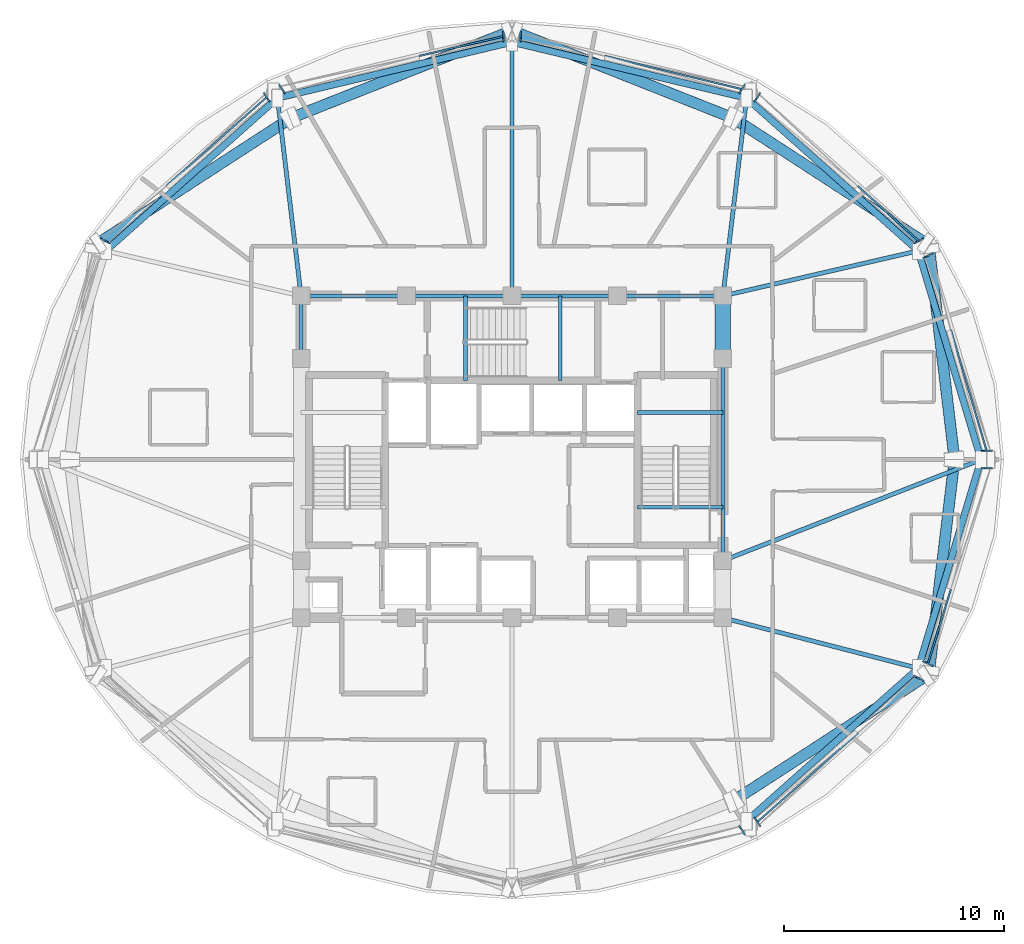
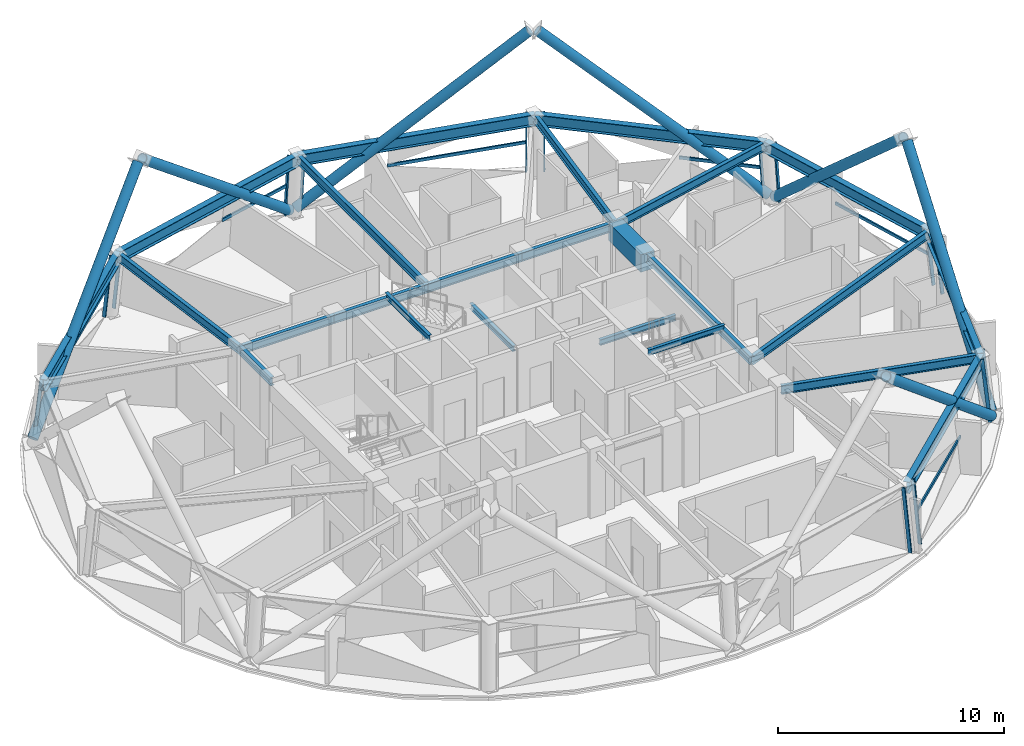
# One storey, part 2 of 12: 29 members, 24 beams, 8 elements without a shape of their own.
"""IFC4 building model written with IfcOpenShell, lengths in metres."""

from ifc_helpers import new_model, si_unit, direction, frame, origin, origin_2d, place, context, subcontext, project, spatial, rectangle, hollow_rectangle, hollow_circle, i_section, extrude, material, layer, layer_set, material_profile, profile_set, type_object, element, aggregate, save


model = new_model("IFC4")

# Units and contexts
model_context = context("Model", 3, precision=1e-05, world=origin(), true_north=direction((0.0, 1.0)))
body_context = subcontext(model_context, "Body", "Model", "MODEL_VIEW")
ifc_project = project(units=[si_unit("LENGTHUNIT", "METRE"), si_unit("AREAUNIT", "SQUARE_METRE"), si_unit("VOLUMEUNIT", "CUBIC_METRE"), si_unit("PLANEANGLEUNIT", "RADIAN"), si_unit("MASSUNIT", "GRAM", prefix="KILO")], contexts=[model_context])

# Site, building, storey
site_placement = place(None, origin())
site = spatial("IfcSite", under=ifc_project, at=site_placement, CompositionType="ELEMENT")
building_placement = place(site_placement, origin())
building = spatial("IfcBuilding", under=site, at=building_placement, Name="Vantalir Tower", CompositionType="ELEMENT")
storey_placement = place(building_placement, frame((0.0, 0.0, 249.89990234375)))
storey = spatial("IfcBuildingStorey", under=building, at=storey_placement, Name="L63", CompositionType="ELEMENT", Elevation=249.89990234375)

# Beams
ifc_material_1 = material(Name="Concrete C60/75", Category="concrete")
ifc_material_profile_1 = material_profile(ifc_material_1, rectangle(XDim=0.699951171875, YDim=0.949951171875, at=origin_2d()), Name="Concrete C60/75")
ifc_profile_set_1 = profile_set([ifc_material_profile_1], Name="Concrete C60/75")
beam_type_1 = type_object("IfcBeamType", Name="BM-CB-700x950", PredefinedType="USERDEFINED", material=ifc_profile_set_1)
beam_1_placement = place(storey_placement, frame((41.10009765625, 29.60009765625, 3.025146484375), z_axis=(0.0, 1.0, 0.0), x_axis=(-1.0, 0.0, 0.0)))
element("IfcBeam", 1, at=beam_1_placement, inside=storey, type_object=beam_type_1, Name="L63 Core Coupling Girder 07", ObjectType="GIRDER", PredefinedType="USERDEFINED", context=body_context, shape_type="SweptSolid", body=[
    extrude(rectangle(XDim=0.699951171875, YDim=0.949951171875, at=origin_2d()), origin(), (0.0, 0.0, 1.0), 2.849853515625),
])
ifc_material_2 = material(Name="Steel S355", Category="steel")
ifc_material_profile_2 = material_profile(ifc_material_2, i_section(OverallWidth=0.166015625, OverallDepth=0.306884765625, WebThickness=0.006591796875, FlangeThickness=0.01171875, at=origin_2d()), Name="Steel S355")
ifc_profile_set_2 = profile_set([ifc_material_profile_2], Name="Steel S355")
beam_type_2 = type_object("IfcBeamType", Name="BM-JS-305x165", PredefinedType="JOIST", material=ifc_profile_set_2)
for number, where, z_axis, x_axis, name in (
    (2, (37.2099609375, 22.8349609375, 3.59619140625), (1.0, 0.0, 0.0), (0.0, 1.0, 0.0), "L64 Stair ST2 Well Nosing Trimmer Beam"),
    (3, (37.2099609375, 27.14501953125, 1.52099609375), (1.0, 0.0, 0.0), (0.0, 1.0, 0.0), "L63 Stair ST2 Half-Landing Support Beam"),
):
    element("IfcBeam", number, at=place(storey_placement, frame(where, z_axis=z_axis, x_axis=x_axis)), inside=storey, type_object=beam_type_2, Name=name, PredefinedType="JOIST", context=body_context, shape_type="SweptSolid", body=[
        extrude(i_section(OverallWidth=0.166015625, OverallDepth=0.306884765625, WebThickness=0.006591796875, FlangeThickness=0.01171875, at=origin_2d()), origin(), (0.0, 0.0, 1.0), 3.89013671875),
    ])
for number, where, z_axis, x_axis, name in (
    (4, (29.385009765625, 28.60009765625, 3.59619140625), (0.0, 1.0, 0.0), (-1.0, 0.0, 0.0), "L64 Stair ST3 Well Nosing Trimmer Beam"),
    (5, (33.695068359375, 28.60009765625, 1.52099609375), (0.0, 1.0, 0.0), (-1.0, 0.0, 0.0), "L63 Stair ST3 Half-Landing Support Beam"),
):
    element("IfcBeam", number, at=place(storey_placement, frame(where, z_axis=z_axis, x_axis=x_axis)), inside=storey, type_object=beam_type_2, Name=name, PredefinedType="JOIST", context=body_context, shape_type="SweptSolid", body=[
        extrude(i_section(OverallWidth=0.166015625, OverallDepth=0.306884765625, WebThickness=0.006591796875, FlangeThickness=0.01171875, at=origin_2d()), origin(), (0.0, 0.0, 1.0), 3.849853515625),
    ])
ifc_material_profile_3 = material_profile(ifc_material_2, i_section(OverallWidth=0.19189453125, OverallDepth=0.462890625, WebThickness=0.010498046875, FlangeThickness=0.017578125, at=origin_2d()), Name="Steel S355")
ifc_profile_set_3 = profile_set([ifc_material_profile_3], Name="Steel S355")
beam_type_3 = type_object("IfcBeamType", Name="BM-RB-457x191", PredefinedType="BEAM", material=ifc_profile_set_3)
beam_2_placement = place(storey_placement, frame((41.10009765625, 20.39990234375, 3.26806640625), z_axis=(0.0, 1.0, 0.0), x_axis=(-1.0, 0.0, 0.0)))
element("IfcBeam", 6, at=beam_2_placement, inside=storey, type_object=beam_type_3, Name="L63 Core Coupling Girder 06", PredefinedType="BEAM", context=body_context, shape_type="SweptSolid", body=[
    extrude(i_section(OverallWidth=0.19189453125, OverallDepth=0.462890625, WebThickness=0.010498046875, FlangeThickness=0.017578125, at=origin_2d()), origin(), (0.0, 0.0, 1.0), 9.2001953125),
])
for number, where, z_axis, x_axis, name in (
    (7, (41.10009765625, 32.449951171875, 3.26806640625), (-1.0, 0.0, 0.0), (0.0, -1.0, 0.0), "L63 Core Coupling Girder 08"),
    (8, (36.300048828125, 32.449951171875, 3.26806640625), (-1.0, 0.0, 0.0), (0.0, -1.0, 0.0), "L63 Core Coupling Girder 09"),
    (9, (31.5, 32.449951171875, 3.26806640625), (-1.0, 0.0, 0.0), (0.0, -1.0, 0.0), "L63 Core Coupling Girder 10"),
    (10, (26.699951171875, 32.449951171875, 3.26806640625), (-1.0, 0.0, 0.0), (0.0, -1.0, 0.0), "L63 Core Coupling Girder 11"),
):
    element("IfcBeam", number, at=place(storey_placement, frame(where, z_axis=z_axis, x_axis=x_axis)), inside=storey, type_object=beam_type_3, Name=name, PredefinedType="BEAM", context=body_context, shape_type="SweptSolid", body=[
        extrude(i_section(OverallWidth=0.19189453125, OverallDepth=0.462890625, WebThickness=0.010498046875, FlangeThickness=0.017578125, at=origin_2d()), origin(), (0.0, 0.0, 1.0), 4.800048828125),
    ])
beam_3_placement = place(storey_placement, frame((21.89990234375, 32.449951171875, 3.26806640625), z_axis=(0.0, -1.0, 0.0), x_axis=(1.0, 0.0, 0.0)))
element("IfcBeam", 11, at=beam_3_placement, inside=storey, type_object=beam_type_3, Name="L63 Core Coupling Girder 12", PredefinedType="BEAM", context=body_context, shape_type="SweptSolid", body=[
    extrude(i_section(OverallWidth=0.19189453125, OverallDepth=0.462890625, WebThickness=0.010498046875, FlangeThickness=0.017578125, at=origin_2d()), origin(), (0.0, 0.0, 1.0), 2.849853515625),
])
beam_4_placement = place(storey_placement, frame((52.85009765625, 25.0, 3.26806640625), z_axis=(-0.931181677614, -0.364555459807, 0.0), x_axis=(0.364555459807, -0.931181677614, 0.0)))
element("IfcBeam", 12, at=beam_4_placement, inside=storey, type_object=beam_type_3, Name="L63 Radial Floor Beam 01", PredefinedType="BEAM", context=body_context, shape_type="SweptSolid", body=[
    extrude(i_section(OverallWidth=0.19189453125, OverallDepth=0.462890625, WebThickness=0.010498046875, FlangeThickness=0.017578125, at=origin_2d()), origin(), (0.0, 0.0, 1.0), 12.618408203125),
])
beam_5_placement = place(storey_placement, frame((49.989990234375, 34.501953125, 3.26806640625), z_axis=(-0.974379468468, -0.224910318635, 0.0), x_axis=(0.224910318635, -0.974379468468, 0.0)))
element("IfcBeam", 13, at=beam_5_placement, inside=storey, type_object=beam_type_3, Name="L63 Radial Floor Beam 02", PredefinedType="BEAM", context=body_context, shape_type="SweptSolid", body=[
    extrude(i_section(OverallWidth=0.19189453125, OverallDepth=0.462890625, WebThickness=0.010498046875, FlangeThickness=0.017578125, at=origin_2d()), origin(), (0.0, 0.0, 1.0), 9.12353515625),
])
beam_6_placement = place(storey_placement, frame((42.175048828125, 41.4580078125, 3.26806640625), z_axis=(-0.118491507564, -0.992955065768, 0.0), x_axis=(0.992955065768, -0.118491507564, 0.0)))
element("IfcBeam", 14, at=beam_6_placement, inside=storey, type_object=beam_type_3, Name="L63 Radial Floor Beam 03", PredefinedType="BEAM", context=body_context, shape_type="SweptSolid", body=[
    extrude(i_section(OverallWidth=0.19189453125, OverallDepth=0.462890625, WebThickness=0.010498046875, FlangeThickness=0.017578125, at=origin_2d()), origin(), (0.0, 0.0, 1.0), 9.072021484375),
])
beam_7_placement = place(storey_placement, frame((31.5, 44.00390625, 3.26806640625), z_axis=(0.0, -1.0, 0.0), x_axis=(1.0, 0.0, 0.0)))
element("IfcBeam", 15, at=beam_7_placement, inside=storey, type_object=beam_type_3, Name="L63 Radial Floor Beam 04", PredefinedType="BEAM", context=body_context, shape_type="SweptSolid", body=[
    extrude(i_section(OverallWidth=0.19189453125, OverallDepth=0.462890625, WebThickness=0.010498046875, FlangeThickness=0.017578125, at=origin_2d()), origin(), (0.0, 0.0, 1.0), 11.553955078125),
])
beam_8_placement = place(storey_placement, frame((20.824951171875, 41.4580078125, 3.26806640625), z_axis=(0.118491507564, -0.992955065768, 0.0), x_axis=(0.992955065768, 0.118491507564, 0.0)))
element("IfcBeam", 16, at=beam_8_placement, inside=storey, type_object=beam_type_3, Name="L63 Radial Floor Beam 05", PredefinedType="BEAM", context=body_context, shape_type="SweptSolid", body=[
    extrude(i_section(OverallWidth=0.19189453125, OverallDepth=0.462890625, WebThickness=0.010498046875, FlangeThickness=0.017578125, at=origin_2d()), origin(), (0.0, 0.0, 1.0), 9.072021484375),
])
beam_9_placement = place(storey_placement, frame((49.989990234375, 15.498046875, 3.26806640625), z_axis=(-0.968070531378, 0.250677973261, 0.0), x_axis=(-0.250677973261, -0.968070531378, 0.0)))
element("IfcBeam", 17, at=beam_9_placement, inside=storey, type_object=beam_type_3, Name="L63 Radial Floor Beam 12", PredefinedType="BEAM", context=body_context, shape_type="SweptSolid", body=[
    extrude(i_section(OverallWidth=0.19189453125, OverallDepth=0.462890625, WebThickness=0.010498046875, FlangeThickness=0.017578125, at=origin_2d()), origin(), (0.0, 0.0, 1.0), 9.18310546875),
])
ifc_material_3 = material(Name="Steel S460", Category="steel")
ifc_material_profile_4 = material_profile(ifc_material_3, i_section(OverallWidth=0.306884765625, OverallDepth=0.6201171875, WebThickness=0.01416015625, FlangeThickness=0.023681640625, at=origin_2d()), Name="Steel S460")
ifc_profile_set_4 = profile_set([ifc_material_profile_4], Name="Steel S460")
beam_type_4 = type_object("IfcBeamType", Name="BM-RG-610x305", PredefinedType="USERDEFINED", material=ifc_profile_set_4)
beam_10_placement = place(storey_placement, frame((52.85009765625, 25.0, 3.190185546875), z_axis=(-0.288228067012, 0.957561789853, 0.0), x_axis=(-0.957561789853, -0.288228067012, 0.0)))
element("IfcBeam", 18, at=beam_10_placement, inside=storey, type_object=beam_type_4, Name="L63 Circumferential Ring Girder 01", ObjectType="GIRDER", PredefinedType="USERDEFINED", context=body_context, shape_type="SweptSolid", body=[
    extrude(i_section(OverallWidth=0.306884765625, OverallDepth=0.6201171875, WebThickness=0.01416015625, FlangeThickness=0.023681640625, at=origin_2d()), origin(), (0.0, 0.0, 1.0), 9.923095703125),
])
beam_11_placement = place(storey_placement, frame((49.989990234375, 34.501953125, 3.190185546875), z_axis=(-0.746961112069, 0.664867728993, 0.0), x_axis=(-0.664867728993, -0.746961112069, 0.0)))
element("IfcBeam", 19, at=beam_11_placement, inside=storey, type_object=beam_type_4, Name="L63 Circumferential Ring Girder 02", ObjectType="GIRDER", PredefinedType="USERDEFINED", context=body_context, shape_type="SweptSolid", body=[
    extrude(i_section(OverallWidth=0.306884765625, OverallDepth=0.6201171875, WebThickness=0.01416015625, FlangeThickness=0.023681640625, at=origin_2d()), origin(), (0.0, 0.0, 1.0), 10.46240234375),
])
for number, where, z_axis, x_axis, name in (
    (20, (42.175048828125, 41.4580078125, 3.190185546875), (-0.972719500618, 0.231984424298, 0.0), (-0.231984424298, -0.972719500618, 0.0), "L63 Circumferential Ring Girder 03"),
    (21, (31.5, 44.00390625, 3.190185546875), (-0.972719500618, -0.231984424298, 0.0), (0.231984424298, -0.972719500618, 0.0), "L63 Circumferential Ring Girder 04"),
):
    element("IfcBeam", number, at=place(storey_placement, frame(where, z_axis=z_axis, x_axis=x_axis)), inside=storey, type_object=beam_type_4, Name=name, ObjectType="GIRDER", PredefinedType="USERDEFINED", context=body_context, shape_type="SweptSolid", body=[
        extrude(i_section(OverallWidth=0.306884765625, OverallDepth=0.6201171875, WebThickness=0.01416015625, FlangeThickness=0.023681640625, at=origin_2d()), origin(), (0.0, 0.0, 1.0), 10.974365234375),
    ])
for number, where, z_axis, x_axis, name in (
    (22, (20.824951171875, 41.4580078125, 3.190185546875), (-0.746961112069, -0.664867728993, 0.0), (0.664867728993, -0.746961112069, 0.0), "L63 Circumferential Ring Girder 05"),
    (23, (42.175048828125, 8.5419921875, 3.190185546875), (0.746961112069, 0.664867728993, 0.0), (-0.664867728993, 0.746961112069, 0.0), "L63 Circumferential Ring Girder 11"),
):
    element("IfcBeam", number, at=place(storey_placement, frame(where, z_axis=z_axis, x_axis=x_axis)), inside=storey, type_object=beam_type_4, Name=name, ObjectType="GIRDER", PredefinedType="USERDEFINED", context=body_context, shape_type="SweptSolid", body=[
        extrude(i_section(OverallWidth=0.306884765625, OverallDepth=0.6201171875, WebThickness=0.01416015625, FlangeThickness=0.023681640625, at=origin_2d()), origin(), (0.0, 0.0, 1.0), 10.46240234375),
    ])
beam_12_placement = place(storey_placement, frame((49.989990234375, 15.498046875, 3.190185546875), z_axis=(0.288228067012, 0.957561789853, 0.0), x_axis=(-0.957561789853, 0.288228067012, 0.0)))
element("IfcBeam", 24, at=beam_12_placement, inside=storey, type_object=beam_type_4, Name="L63 Circumferential Ring Girder 12", ObjectType="GIRDER", PredefinedType="USERDEFINED", context=body_context, shape_type="SweptSolid", body=[
    extrude(i_section(OverallWidth=0.306884765625, OverallDepth=0.6201171875, WebThickness=0.01416015625, FlangeThickness=0.023681640625, at=origin_2d()), origin(), (0.0, 0.0, 1.0), 9.923095703125),
])

# Curtain wall, members
ifc_material_4 = material(Name="Champagne-silver PVDF aluminium and double-silver Low-E glass", Category="aluminium")
ifc_layer = layer(ifc_material_4, 0.2099609375)
ifc_layer_set = layer_set([ifc_layer], Name="Champagne-silver PVDF aluminium and double-silver Low-E glass")
curtain_wall_type = type_object("IfcCurtainWallType", Name="CW-DIAMOND-Z3", PredefinedType="USERDEFINED", material=ifc_layer_set)
curtain_wall_1_placement = place(storey_placement, origin())
curtain_wall_1 = element("IfcCurtainWall", 25, at=curtain_wall_1_placement, inside=storey, type_object=curtain_wall_type, Name="L63 Quilted Pyramid-Diamond Curtain Wall S01", ObjectType="UNITISED CURTAIN WALL", PredefinedType="USERDEFINED")
ifc_material_5 = material(Name="Champagne-silver PVDF aluminium 6063-T6", Category="aluminium")
ifc_material_profile_5 = material_profile(ifc_material_5, hollow_rectangle(XDim=0.070068359375, YDim=0.1650390625, WallThickness=0.00390625, at=origin_2d()), Name="Champagne-silver PVDF aluminium 6063-T6")
ifc_profile_set_5 = profile_set([ifc_material_profile_5], Name="Champagne-silver PVDF aluminium 6063-T6")
member_type_1 = type_object("IfcMemberType", Name="CWM-165x70", PredefinedType="MULLION", material=ifc_profile_set_5)
member_1_placement = place(storey_placement, frame((53.2900390625, 25.39306640625, 0.045166015625), z_axis=(-0.107274558481, 0.0, 0.99422943484), x_axis=(0.0, -1.0, 0.0)))
member_1 = element("IfcMember", 26, at=member_1_placement, type_object=member_type_1, Name="CW-L63-S01 Mullion 1", PredefinedType="MULLION", context=body_context, shape_type="SweptSolid", body=[
    extrude(hollow_rectangle(XDim=0.070068359375, YDim=0.1650390625, WallThickness=0.00390625, at=origin_2d()), origin(), (0.0, 0.0, 1.0), 3.4296875),
])
member_2_placement = place(storey_placement, frame((50.591064453125, 34.367919921875, 0.045166015625), z_axis=(-0.093064266323, -0.047778211708, 0.994513089315), x_axis=(0.456717339037, -0.889611866053, 0.0)))
member_2 = element("IfcMember", 27, at=member_2_placement, type_object=member_type_1, Name="CW-L63-S01 Mullion 2", PredefinedType="MULLION", context=body_context, shape_type="SweptSolid", body=[
    extrude(hollow_rectangle(XDim=0.070068359375, YDim=0.1650390625, WallThickness=0.00390625, at=origin_2d()), origin(), (0.0, 0.0, 1.0), 3.4287109375),
])

curtain_wall_2_placement = place(storey_placement, origin())
curtain_wall_2 = element("IfcCurtainWall", 28, at=curtain_wall_2_placement, inside=storey, type_object=curtain_wall_type, Name="L63 Quilted Pyramid-Diamond Curtain Wall S02", ObjectType="UNITISED CURTAIN WALL", PredefinedType="USERDEFINED")
member_3_placement = place(storey_placement, frame((50.1669921875, 35.033935546875, 0.045166015625), z_axis=(-0.093064266323, -0.047778211708, 0.994513089315), x_axis=(0.456717339037, -0.889611866053, 0.0)))
member_3 = element("IfcMember", 29, at=member_3_placement, type_object=member_type_1, Name="CW-L63-S02 Mullion 1", PredefinedType="MULLION", context=body_context, shape_type="SweptSolid", body=[
    extrude(hollow_rectangle(XDim=0.070068359375, YDim=0.1650390625, WallThickness=0.00390625, at=origin_2d()), origin(), (0.0, 0.0, 1.0), 3.4287109375),
])
member_4_placement = place(storey_placement, frame((42.760009765625, 41.634033203125, 0.045166015625), z_axis=(-0.053719253944, -0.083143725932, 0.995088620472), x_axis=(0.839936857657, -0.542684139394, 0.0)))
member_4 = element("IfcMember", 30, at=member_4_placement, type_object=member_type_1, Name="CW-L63-S02 Mullion 2", PredefinedType="MULLION", context=body_context, shape_type="SweptSolid", body=[
    extrude(hollow_rectangle(XDim=0.070068359375, YDim=0.1650390625, WallThickness=0.00390625, at=origin_2d()), origin(), (0.0, 0.0, 1.0), 3.4267578125),
])

curtain_wall_3_placement = place(storey_placement, origin())
curtain_wall_3 = element("IfcCurtainWall", 31, at=curtain_wall_3_placement, inside=storey, type_object=curtain_wall_type, Name="L63 Quilted Pyramid-Diamond Curtain Wall S03", ObjectType="UNITISED CURTAIN WALL", PredefinedType="USERDEFINED")
member_5_placement = place(storey_placement, frame((42.054931640625, 42.001953125, 0.045166015625), z_axis=(-0.053648213439, -0.083144043936, 0.995092426437), x_axis=(0.840264904476, -0.542176069469, 0.0)))
member_5 = element("IfcMember", 32, at=member_5_placement, type_object=member_type_1, Name="CW-L63-S03 Mullion 1", PredefinedType="MULLION", context=body_context, shape_type="SweptSolid", body=[
    extrude(hollow_rectangle(XDim=0.070068359375, YDim=0.1650390625, WallThickness=0.00390625, at=origin_2d()), origin(), (0.0, 0.0, 1.0), 3.4267578125),
])
member_6_placement = place(storey_placement, frame((31.89892578125, 44.427978515625, 0.045166015625), z_axis=(0.0, -0.095996215968, 0.995381698907), x_axis=(1.0, 0.0, 0.0)))
member_6 = element("IfcMember", 33, at=member_6_placement, type_object=member_type_1, Name="CW-L63-S03 Mullion 2", PredefinedType="MULLION", context=body_context, shape_type="SweptSolid", body=[
    extrude(hollow_rectangle(XDim=0.070068359375, YDim=0.1650390625, WallThickness=0.00390625, at=origin_2d()), origin(), (0.0, 0.0, 1.0), 3.42578125),
])

curtain_wall_4_placement = place(storey_placement, origin())
curtain_wall_4 = element("IfcCurtainWall", 34, at=curtain_wall_4_placement, inside=storey, type_object=curtain_wall_type, Name="L63 Quilted Pyramid-Diamond Curtain Wall S04", ObjectType="UNITISED CURTAIN WALL", PredefinedType="USERDEFINED")
member_7_placement = place(storey_placement, frame((31.10107421875, 44.427978515625, 0.045166015625), z_axis=(0.0, -0.095996215968, 0.995381698907), x_axis=(1.0, 0.0, 0.0)))
member_7 = element("IfcMember", 35, at=member_7_placement, type_object=member_type_1, Name="CW-L63-S04 Mullion 1", PredefinedType="MULLION", context=body_context, shape_type="SweptSolid", body=[
    extrude(hollow_rectangle(XDim=0.070068359375, YDim=0.1650390625, WallThickness=0.00390625, at=origin_2d()), origin(), (0.0, 0.0, 1.0), 3.42578125),
])
member_8_placement = place(storey_placement, frame((20.945068359375, 42.001953125, 0.045166015625), z_axis=(0.053648213439, -0.083144043936, 0.995092426437), x_axis=(0.840264904476, 0.542176069469, 0.0)))
member_8 = element("IfcMember", 36, at=member_8_placement, type_object=member_type_1, Name="CW-L63-S04 Mullion 2", PredefinedType="MULLION", context=body_context, shape_type="SweptSolid", body=[
    extrude(hollow_rectangle(XDim=0.070068359375, YDim=0.1650390625, WallThickness=0.00390625, at=origin_2d()), origin(), (0.0, 0.0, 1.0), 3.4267578125),
])

curtain_wall_5_placement = place(storey_placement, origin())
curtain_wall_5 = element("IfcCurtainWall", 37, at=curtain_wall_5_placement, inside=storey, type_object=curtain_wall_type, Name="L63 Quilted Pyramid-Diamond Curtain Wall S05", ObjectType="UNITISED CURTAIN WALL", PredefinedType="USERDEFINED")
member_9_placement = place(storey_placement, frame((20.239990234375, 41.634033203125, 0.045166015625), z_axis=(0.053719253944, -0.083143725932, 0.995088620472), x_axis=(0.839936857657, 0.542684139394, 0.0)))
member_9 = element("IfcMember", 38, at=member_9_placement, type_object=member_type_1, Name="CW-L63-S05 Mullion 1", PredefinedType="MULLION", context=body_context, shape_type="SweptSolid", body=[
    extrude(hollow_rectangle(XDim=0.070068359375, YDim=0.1650390625, WallThickness=0.00390625, at=origin_2d()), origin(), (0.0, 0.0, 1.0), 3.4267578125),
])
member_10_placement = place(storey_placement, frame((12.8330078125, 35.033935546875, 0.045166015625), z_axis=(0.093064266323, -0.047778211708, 0.994513089315), x_axis=(0.456717339037, 0.889611866053, 0.0)))
member_10 = element("IfcMember", 39, at=member_10_placement, type_object=member_type_1, Name="CW-L63-S05 Mullion 2", PredefinedType="MULLION", context=body_context, shape_type="SweptSolid", body=[
    extrude(hollow_rectangle(XDim=0.070068359375, YDim=0.1650390625, WallThickness=0.00390625, at=origin_2d()), origin(), (0.0, 0.0, 1.0), 3.4287109375),
])

# Curtain wall, member
curtain_wall_6_placement = place(storey_placement, origin())
curtain_wall_6 = element("IfcCurtainWall", 40, at=curtain_wall_6_placement, inside=storey, type_object=curtain_wall_type, Name="L63 Quilted Pyramid-Diamond Curtain Wall S10", ObjectType="UNITISED CURTAIN WALL", PredefinedType="USERDEFINED")
member_11_placement = place(storey_placement, frame((42.054931640625, 7.998046875, 0.045166015625), z_axis=(-0.053648213439, 0.083144043936, 0.995092426437), x_axis=(-0.840264904476, -0.542176069469, 0.0)))
member_11 = element("IfcMember", 41, at=member_11_placement, type_object=member_type_1, Name="CW-L63-S10 Mullion 2", PredefinedType="MULLION", context=body_context, shape_type="SweptSolid", body=[
    extrude(hollow_rectangle(XDim=0.070068359375, YDim=0.1650390625, WallThickness=0.00390625, at=origin_2d()), origin(), (0.0, 0.0, 1.0), 3.4267578125),
])
aggregate(curtain_wall_6, [member_11])

# Curtain wall, members
curtain_wall_7_placement = place(storey_placement, origin())
curtain_wall_7 = element("IfcCurtainWall", 42, at=curtain_wall_7_placement, inside=storey, type_object=curtain_wall_type, Name="L63 Quilted Pyramid-Diamond Curtain Wall S11", ObjectType="UNITISED CURTAIN WALL", PredefinedType="USERDEFINED")
member_12_placement = place(storey_placement, frame((42.760009765625, 8.365966796875, 0.045166015625), z_axis=(-0.053719253944, 0.083143725932, 0.995088620472), x_axis=(-0.839936857657, -0.542684139394, 0.0)))
member_12 = element("IfcMember", 43, at=member_12_placement, type_object=member_type_1, Name="CW-L63-S11 Mullion 1", PredefinedType="MULLION", context=body_context, shape_type="SweptSolid", body=[
    extrude(hollow_rectangle(XDim=0.070068359375, YDim=0.1650390625, WallThickness=0.00390625, at=origin_2d()), origin(), (0.0, 0.0, 1.0), 3.4267578125),
])
member_13_placement = place(storey_placement, frame((50.1669921875, 14.965087890625, 0.045166015625), z_axis=(-0.093062996147, 0.04806237368, 0.994499515829), x_axis=(-0.458868016969, -0.888504441746, 0.0)))
member_13 = element("IfcMember", 44, at=member_13_placement, type_object=member_type_1, Name="CW-L63-S11 Mullion 2", PredefinedType="MULLION", context=body_context, shape_type="SweptSolid", body=[
    extrude(hollow_rectangle(XDim=0.070068359375, YDim=0.1650390625, WallThickness=0.00390625, at=origin_2d()), origin(), (0.0, 0.0, 1.0), 3.4287109375),
])

curtain_wall_8_placement = place(storey_placement, origin())
curtain_wall_8 = element("IfcCurtainWall", 45, at=curtain_wall_8_placement, inside=storey, type_object=curtain_wall_type, Name="L63 Quilted Pyramid-Diamond Curtain Wall S12", ObjectType="UNITISED CURTAIN WALL", PredefinedType="USERDEFINED")
member_14_placement = place(storey_placement, frame((50.591064453125, 15.631103515625, 0.045166015625), z_axis=(-0.093062996147, 0.04806237368, 0.994499515829), x_axis=(-0.458868016969, -0.888504441746, 0.0)))
member_14 = element("IfcMember", 46, at=member_14_placement, type_object=member_type_1, Name="CW-L63-S12 Mullion 1", PredefinedType="MULLION", context=body_context, shape_type="SweptSolid", body=[
    extrude(hollow_rectangle(XDim=0.070068359375, YDim=0.1650390625, WallThickness=0.00390625, at=origin_2d()), origin(), (0.0, 0.0, 1.0), 3.4287109375),
])
member_15_placement = place(storey_placement, frame((53.2900390625, 24.60693359375, 0.045166015625), z_axis=(-0.107274558481, 0.0, 0.99422943484), x_axis=(0.0, -1.0, 0.0)))
member_15 = element("IfcMember", 47, at=member_15_placement, type_object=member_type_1, Name="CW-L63-S12 Mullion 2", PredefinedType="MULLION", context=body_context, shape_type="SweptSolid", body=[
    extrude(hollow_rectangle(XDim=0.070068359375, YDim=0.1650390625, WallThickness=0.00390625, at=origin_2d()), origin(), (0.0, 0.0, 1.0), 3.4296875),
])

# Member
ifc_material_profile_6 = material_profile(ifc_material_5, hollow_rectangle(XDim=0.074951171875, YDim=0.159912109375, WallThickness=0.00390625, at=origin_2d()), Name="Champagne-silver PVDF aluminium 6063-T6")
ifc_profile_set_6 = profile_set([ifc_material_profile_6], Name="Champagne-silver PVDF aluminium 6063-T6")
member_type_2 = type_object("IfcMemberType", Name="CWT-160x75", PredefinedType="USERDEFINED", material=ifc_profile_set_6)
member_16_placement = place(storey_placement, frame((53.10595703125, 25.39306640625, 1.75), z_axis=(-0.283954068551, 0.958837883562, 0.0), x_axis=(-0.958837883562, -0.283954068551, 0.0)))
member_16 = element("IfcMember", 48, at=member_16_placement, type_object=member_type_2, Name="CW-L63-S01 Pyramid Fold Ridge Transom", ObjectType="TRANSOM", PredefinedType="USERDEFINED", context=body_context, shape_type="SweptSolid", body=[
    extrude(hollow_rectangle(XDim=0.074951171875, YDim=0.159912109375, WallThickness=0.00390625, at=origin_2d()), origin(), (0.0, 0.0, 1.0), 5.758056640625),
])

aggregate(curtain_wall_1, [member_1, member_2, member_16])

member_17_placement = place(storey_placement, frame((50.007080078125, 34.951904296875, 1.75), z_axis=(-0.742362954876, 0.669997942705, 0.0), x_axis=(-0.669997942705, -0.742362954876, 0.0)))
member_17 = element("IfcMember", 49, at=member_17_placement, type_object=member_type_2, Name="CW-L63-S02 Pyramid Fold Ridge Transom", ObjectType="TRANSOM", PredefinedType="USERDEFINED", context=body_context, shape_type="SweptSolid", body=[
    extrude(hollow_rectangle(XDim=0.074951171875, YDim=0.159912109375, WallThickness=0.00390625, at=origin_2d()), origin(), (0.0, 0.0, 1.0), 3.7314453125),
])

aggregate(curtain_wall_2, [member_3, member_4, member_17])

member_18_placement = place(storey_placement, frame((41.962890625, 41.860107421875, 1.75), z_axis=(-0.971789602341, 0.235849462118, 0.0), x_axis=(-0.235849462118, -0.971789602341, 0.0)))
member_18 = element("IfcMember", 50, at=member_18_placement, type_object=member_type_2, Name="CW-L63-S03 Pyramid Fold Ridge Transom", ObjectType="TRANSOM", PredefinedType="USERDEFINED", context=body_context, shape_type="SweptSolid", body=[
    extrude(hollow_rectangle(XDim=0.074951171875, YDim=0.159912109375, WallThickness=0.00390625, at=origin_2d()), origin(), (0.0, 0.0, 1.0), 6.414794921875),
])

aggregate(curtain_wall_3, [member_5, member_6, member_18])

member_19_placement = place(storey_placement, frame((31.10107421875, 44.262939453125, 1.75), z_axis=(-0.974054199312, -0.226314862091, 0.0), x_axis=(0.226314862091, -0.974054199312, 0.0)))
member_19 = element("IfcMember", 51, at=member_19_placement, type_object=member_type_2, Name="CW-L63-S04 Pyramid Fold Ridge Transom", ObjectType="TRANSOM", PredefinedType="USERDEFINED", context=body_context, shape_type="SweptSolid", body=[
    extrude(hollow_rectangle(XDim=0.074951171875, YDim=0.159912109375, WallThickness=0.00390625, at=origin_2d()), origin(), (0.0, 0.0, 1.0), 3.93212890625),
])

aggregate(curtain_wall_4, [member_7, member_8, member_19])

member_20_placement = place(storey_placement, frame((20.33203125, 41.491943359375, 1.75), z_axis=(-0.749147059717, -0.66240371596, 0.0), x_axis=(0.66240371596, -0.749147059717, 0.0)))
member_20 = element("IfcMember", 52, at=member_20_placement, type_object=member_type_2, Name="CW-L63-S05 Pyramid Fold Ridge Transom", ObjectType="TRANSOM", PredefinedType="USERDEFINED", context=body_context, shape_type="SweptSolid", body=[
    extrude(hollow_rectangle(XDim=0.074951171875, YDim=0.159912109375, WallThickness=0.00390625, at=origin_2d()), origin(), (0.0, 0.0, 1.0), 6.09912109375),
])

aggregate(curtain_wall_5, [member_9, member_10, member_20])

member_21_placement = place(storey_placement, frame((42.66796875, 8.508056640625, 1.75), z_axis=(0.749147059717, 0.66240371596, 0.0), x_axis=(-0.66240371596, 0.749147059717, 0.0)))
member_21 = element("IfcMember", 53, at=member_21_placement, type_object=member_type_2, Name="CW-L63-S11 Pyramid Fold Ridge Transom", ObjectType="TRANSOM", PredefinedType="USERDEFINED", context=body_context, shape_type="SweptSolid", body=[
    extrude(hollow_rectangle(XDim=0.074951171875, YDim=0.159912109375, WallThickness=0.00390625, at=origin_2d()), origin(), (0.0, 0.0, 1.0), 6.09912109375),
])

aggregate(curtain_wall_7, [member_12, member_13, member_21])

member_22_placement = place(storey_placement, frame((50.431884765625, 15.712890625, 1.75), z_axis=(0.294396921248, 0.955683238714, 0.0), x_axis=(-0.955683238714, 0.294396921248, 0.0)))
member_22 = element("IfcMember", 54, at=member_22_placement, type_object=member_type_2, Name="CW-L63-S12 Pyramid Fold Ridge Transom", ObjectType="TRANSOM", PredefinedType="USERDEFINED", context=body_context, shape_type="SweptSolid", body=[
    extrude(hollow_rectangle(XDim=0.074951171875, YDim=0.159912109375, WallThickness=0.00390625, at=origin_2d()), origin(), (0.0, 0.0, 1.0), 3.529541015625),
])

aggregate(curtain_wall_8, [member_14, member_15, member_22])

# Members
ifc_material_profile_7 = material_profile(ifc_material_3, hollow_circle(Radius=0.25, WallThickness=0.031982421875, at=origin_2d()), Name="Steel S460")
ifc_profile_set_7 = profile_set([ifc_material_profile_7], Name="Steel S460")
member_type_3 = type_object("IfcMemberType", Name="MEM-DB-500x32", PredefinedType="BRACE", material=ifc_profile_set_7)
member_23_placement = place(storey_placement, frame((50.3310546875, 34.85302734375, 0.22119140625), z_axis=(-0.64545704694, 0.418987625898, 0.638619268344), x_axis=(-0.54447716679, -0.838775664194, 0.0)))
element("IfcMember", 55, at=member_23_placement, inside=storey, type_object=member_type_3, Name="L63 Perimeter S460 Diagrid Brace R04L", PredefinedType="BRACE", context=body_context, shape_type="SweptSolid", body=[
    extrude(hollow_circle(Radius=0.25, WallThickness=0.031982421875, at=origin_2d()), origin(), (0.0, 0.0, 1.0), 13.353515625),
])
member_24_placement = place(storey_placement, frame((50.491943359375, 34.597900390625, 0.22705078125), z_axis=(0.088492146433, -0.739411675439, 0.667412551758), x_axis=(0.992914477604, 0.118831141388, 0.0)))
element("IfcMember", 56, at=member_24_placement, inside=storey, type_object=member_type_3, Name="L63 Perimeter S460 Diagrid Brace R04R", PredefinedType="BRACE", context=body_context, shape_type="SweptSolid", body=[
    extrude(hollow_circle(Radius=0.25, WallThickness=0.031982421875, at=origin_2d()), origin(), (0.0, 0.0, 1.0), 12.760009765625),
])
for number, where, z_axis, x_axis, name in (
    (57, (31.341064453125, 44.4599609375, 0.218994140625), (-0.721336093291, -0.285291097582, 0.631096846892), (0.367783432837, -0.929911472416, 0.0), "L63 Perimeter S460 Diagrid Brace R10L"),
    (58, (31.658935546875, 44.4599609375, 0.218994140625), (0.721336093291, -0.285291097582, 0.631096846892), (0.367783432837, 0.929911472416, 0.0), "L63 Perimeter S460 Diagrid Brace R10R"),
):
    element("IfcMember", number, at=place(storey_placement, frame(where, z_axis=z_axis, x_axis=x_axis)), inside=storey, type_object=member_type_3, Name=name, PredefinedType="BRACE", context=body_context, shape_type="SweptSolid", body=[
        extrude(hollow_circle(Radius=0.25, WallThickness=0.031982421875, at=origin_2d()), origin(), (0.0, 0.0, 1.0), 13.519287109375),
    ])
member_25_placement = place(storey_placement, frame((12.6689453125, 34.85302734375, 0.22119140625), z_axis=(0.64545704694, 0.418987625898, 0.638619268344), x_axis=(-0.54447716679, 0.838775664194, 0.0)))
element("IfcMember", 59, at=member_25_placement, inside=storey, type_object=member_type_3, Name="L63 Perimeter S460 Diagrid Brace R16R", PredefinedType="BRACE", context=body_context, shape_type="SweptSolid", body=[
    extrude(hollow_circle(Radius=0.25, WallThickness=0.031982421875, at=origin_2d()), origin(), (0.0, 0.0, 1.0), 13.353515625),
])
member_26_placement = place(storey_placement, frame((50.491943359375, 15.40087890625, 0.22705078125), z_axis=(0.088485886985, 0.739455033939, 0.667365342662), x_axis=(-0.992916291307, 0.1188159857, 0.0)))
element("IfcMember", 60, at=member_26_placement, inside=storey, type_object=member_type_3, Name="L63 Perimeter S460 Diagrid Brace R34L", PredefinedType="BRACE", context=body_context, shape_type="SweptSolid", body=[
    extrude(hollow_circle(Radius=0.25, WallThickness=0.031982421875, at=origin_2d()), origin(), (0.0, 0.0, 1.0), 12.7607421875),
])
member_27_placement = place(storey_placement, frame((50.3310546875, 15.14599609375, 0.22119140625), z_axis=(-0.645476823649, -0.418927330055, 0.638638835544), x_axis=(0.544410300496, -0.83881906554, 0.0)))
element("IfcMember", 61, at=member_27_placement, inside=storey, type_object=member_type_3, Name="L63 Perimeter S460 Diagrid Brace R34R", PredefinedType="BRACE", context=body_context, shape_type="SweptSolid", body=[
    extrude(hollow_circle(Radius=0.25, WallThickness=0.031982421875, at=origin_2d()), origin(), (0.0, 0.0, 1.0), 13.35302734375),
])

save(model, "model.ifc")
